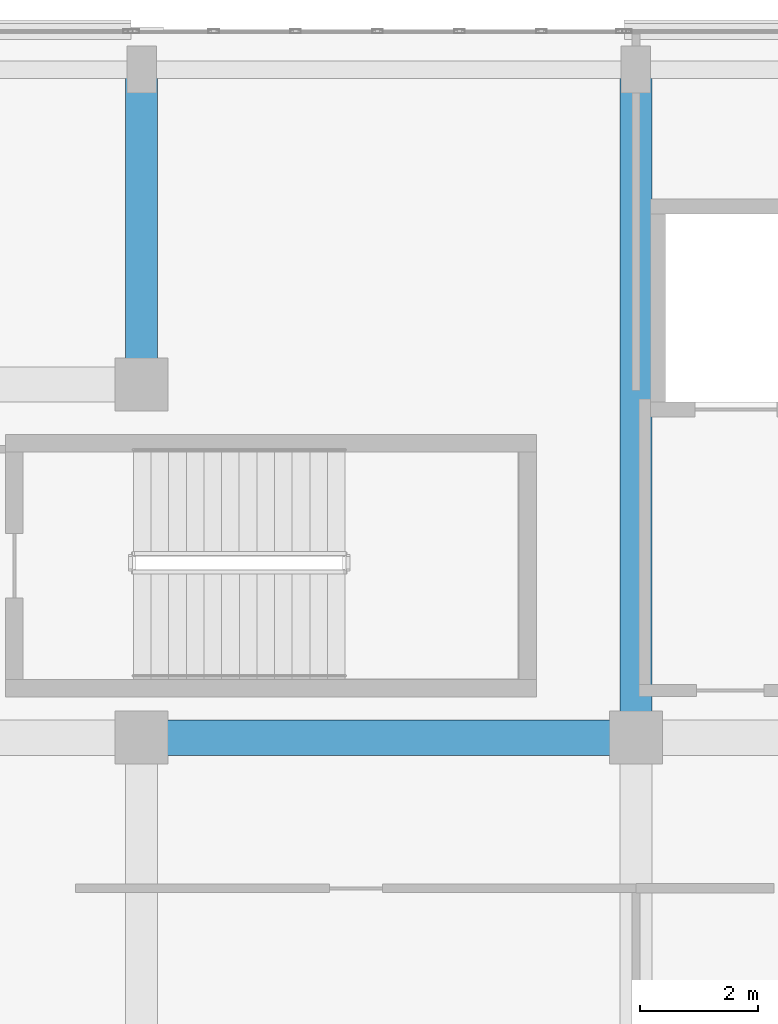
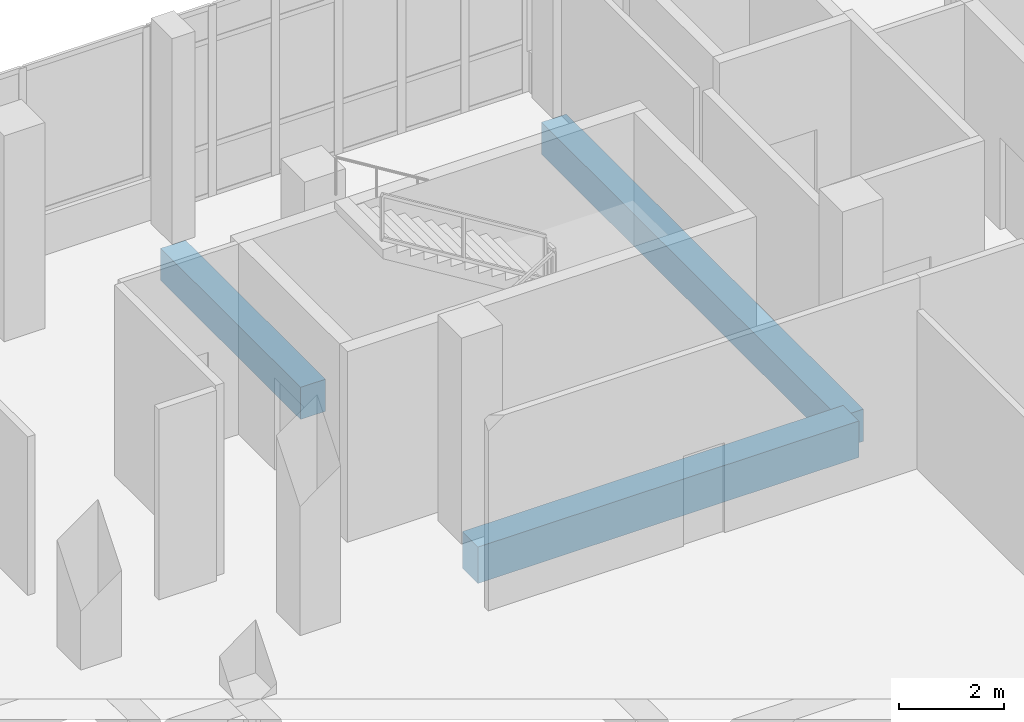
# One storey, part 94 of 168: 3 beams.
"""IFC4 building model written with IfcOpenShell, lengths in metres."""

from ifc_helpers import new_model, si_unit, direction, frame, origin, origin_2d, place, context, subcontext, project, spatial, rectangle, extrude, material, material_profile, profile_set, type_object, element, save


model = new_model("IFC4")

# Units and contexts
model_context = context("Model", 3, precision=1e-05, world=origin(), true_north=direction((0.0, 1.0)))
body_context = subcontext(model_context, "Body", "Model", "MODEL_VIEW")
ifc_project = project(units=[si_unit("LENGTHUNIT", "METRE"), si_unit("AREAUNIT", "SQUARE_METRE"), si_unit("VOLUMEUNIT", "CUBIC_METRE"), si_unit("PLANEANGLEUNIT", "RADIAN"), si_unit("MASSUNIT", "GRAM", prefix="KILO")], contexts=[model_context])

# Site, building, storey
site_placement = place(None, origin())
site = spatial("IfcSite", under=ifc_project, at=site_placement, CompositionType="ELEMENT")
building_placement = place(site_placement, origin())
building = spatial("IfcBuilding", under=site, at=building_placement, Name="Selatvlak General Hospital", CompositionType="ELEMENT")
storey_placement = place(building_placement, frame((0.0, 0.0, 5.39990234375)))
storey = spatial("IfcBuildingStorey", under=building, at=storey_placement, Name="L01", CompositionType="ELEMENT", Elevation=5.39990234375)

# Beams
ifc_material = material(Name="Concrete C40/50", Category="concrete")
ifc_material_profile_1 = material_profile(ifc_material, rectangle(XDim=0.60009765625, YDim=0.85009765625, at=origin_2d()), Name="RC-BM 600x850")
ifc_profile_set_1 = profile_set([ifc_material_profile_1], Name="Concrete C40/50")
beam_type_1 = type_object("IfcBeamType", Name="BM-G01", PredefinedType="BEAM", material=ifc_profile_set_1)
beam_1_placement = place(storey_placement, frame((90.0, 108.0, -0.744873046875), z_axis=(1.0, 0.0, 0.0), x_axis=(0.0, 1.0, 0.0)))
element("IfcBeam", 1, at=beam_1_placement, inside=storey, type_object=beam_type_1, Name="Beam BMR-L01-0504", PredefinedType="BEAM", context=body_context, shape_type="SweptSolid", body=[
    extrude(rectangle(XDim=0.60009765625, YDim=0.85009765625, at=origin_2d()), origin(), (0.0, 0.0, 1.0), 8.39990234375),
])
ifc_material_profile_2 = material_profile(ifc_material, rectangle(XDim=0.550048828125, YDim=0.75, at=origin_2d()), Name="RC-BM 550x750")
ifc_profile_set_2 = profile_set([ifc_material_profile_2], Name="Concrete C40/50")
beam_type_2 = type_object("IfcBeamType", Name="BM-G02", PredefinedType="BEAM", material=ifc_profile_set_2)
beam_2_placement = place(storey_placement, frame((90.0, 114.0, -0.69482421875), z_axis=(0.0, 1.0, 0.0), x_axis=(-1.0, 0.0, 0.0)))
element("IfcBeam", 2, at=beam_2_placement, inside=storey, type_object=beam_type_2, Name="Beam BMR-L01-0608", PredefinedType="BEAM", context=body_context, shape_type="SweptSolid", body=[
    extrude(rectangle(XDim=0.550048828125, YDim=0.75, at=origin_2d()), origin(), (0.0, 0.0, 1.0), 5.35009765625),
])
beam_3_placement = place(storey_placement, frame((98.39990234375, 108.0, -0.69482421875), z_axis=(0.0, 1.0, 0.0), x_axis=(-1.0, 0.0, 0.0)))
element("IfcBeam", 3, at=beam_3_placement, inside=storey, type_object=beam_type_2, Name="Beam BMR-L01-0612", PredefinedType="BEAM", context=body_context, shape_type="SweptSolid", body=[
    extrude(rectangle(XDim=0.550048828125, YDim=0.75, at=origin_2d()), origin(), (0.0, 0.0, 1.0), 11.35009765625),
])

save(model, "model.ifc")
